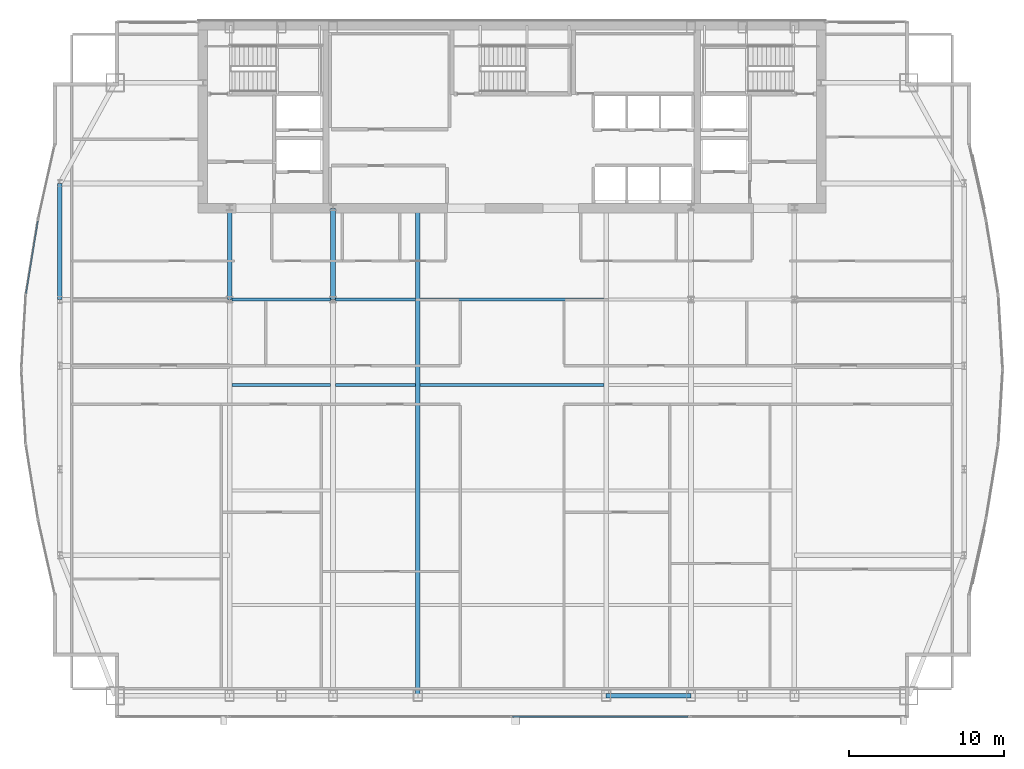
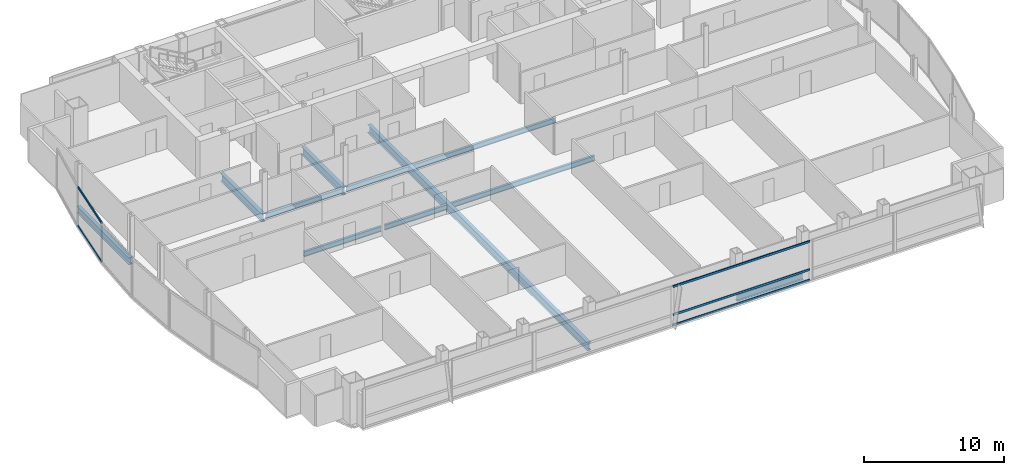
# One storey, part 11 of 30: 11 beams, 5 members, 2 elements without a shape of their own.
"""IFC4 building model written with IfcOpenShell, lengths in metres."""

from ifc_helpers import new_model, si_unit, direction, frame, origin, origin_2d, place, context, subcontext, project, spatial, hollow_rectangle, i_section, extrude, material, material_profile, profile_set, type_object, element, aggregate, save


model = new_model("IFC4")

# Units and contexts
model_context = context("Model", 3, precision=1e-05, world=origin(), true_north=direction((0.0, 1.0)))
body_context = subcontext(model_context, "Body", "Model", "MODEL_VIEW")
ifc_project = project(units=[si_unit("LENGTHUNIT", "METRE"), si_unit("AREAUNIT", "SQUARE_METRE"), si_unit("VOLUMEUNIT", "CUBIC_METRE"), si_unit("PLANEANGLEUNIT", "RADIAN"), si_unit("MASSUNIT", "GRAM", prefix="KILO")], contexts=[model_context])

# Site, building, storey
site_placement = place(None, origin())
site = spatial("IfcSite", under=ifc_project, at=site_placement, CompositionType="ELEMENT")
building_placement = place(site_placement, origin())
building = spatial("IfcBuilding", under=site, at=building_placement, Name="Khoronbel Lancet Exchange", CompositionType="ELEMENT")
storey_placement = place(building_placement, frame((0.0, 0.0, 213.800048828125)))
storey = spatial("IfcBuildingStorey", under=building, at=storey_placement, Name="L54", CompositionType="ELEMENT", Elevation=213.800048828125)

# Beams
ifc_material_1 = material(Name="Steel S355", Category="steel")
ifc_material_profile_1 = material_profile(ifc_material_1, i_section(OverallWidth=0.300048828125, OverallDepth=0.699951171875, WebThickness=0.01708984375, FlangeThickness=0.031982421875, at=origin_2d()), Name="HEB 700")
ifc_profile_set_1 = profile_set([ifc_material_profile_1], Name="Steel S355")
beam_type_1 = type_object("IfcBeamType", Name="BM-BG3", PredefinedType="BEAM", material=ifc_profile_set_1)
for number, where, z_axis, x_axis, name in (
    (1, (18.22509765625, 35.699951171875, -0.510009765625), (0.0, 1.0, 0.0), (-1.0, 0.0, 0.0), "Level L54 spine tie girder GN1"),
    (2, (24.89990234375, 35.699951171875, -0.510009765625), (0.0, 1.0, 0.0), (-1.0, 0.0, 0.0), "Level L54 spine tie girder GN2"),
):
    element("IfcBeam", number, at=place(storey_placement, frame(where, z_axis=z_axis, x_axis=x_axis)), inside=storey, type_object=beam_type_1, Name=name, PredefinedType="BEAM", context=body_context, shape_type="SweptSolid", body=[
        extrude(i_section(OverallWidth=0.300048828125, OverallDepth=0.699951171875, WebThickness=0.01708984375, FlangeThickness=0.031982421875, at=origin_2d()), origin(), (0.0, 0.0, 1.0), 5.900146484375),
    ])
beam_1_placement = place(storey_placement, frame((30.375, 10.14990234375, -0.510009765625), z_axis=(0.0, 1.0, 0.0), x_axis=(-1.0, 0.0, 0.0)))
element("IfcBeam", 3, at=beam_1_placement, inside=storey, type_object=beam_type_1, Name="Level L54 primary floor girder G3", PredefinedType="BEAM", context=body_context, shape_type="SweptSolid", body=[
    extrude(i_section(OverallWidth=0.300048828125, OverallDepth=0.699951171875, WebThickness=0.01708984375, FlangeThickness=0.031982421875, at=origin_2d()), origin(), (0.0, 0.0, 1.0), 31.4501953125),
])
ifc_material_profile_2 = material_profile(ifc_material_1, i_section(OverallWidth=0.18994140625, OverallDepth=0.449951171875, WebThickness=0.009521484375, FlangeThickness=0.0146484375, at=origin_2d()), Name="IPE 450")
ifc_profile_set_2 = profile_set([ifc_material_profile_2], Name="Steel S355")
beam_type_2 = type_object("IfcBeamType", Name="BM-BJ4", PredefinedType="JOIST", material=ifc_profile_set_2)
beam_2_placement = place(storey_placement, frame((18.375, 30.199951171875, -0.385009765625), z_axis=(1.0, 0.0, 0.0), x_axis=(0.0, 1.0, 0.0)))
element("IfcBeam", 4, at=beam_2_placement, inside=storey, type_object=beam_type_2, Name="Level L54 secondary composite joist J11", PredefinedType="JOIST", context=body_context, shape_type="SweptSolid", body=[
    extrude(i_section(OverallWidth=0.18994140625, OverallDepth=0.449951171875, WebThickness=0.009521484375, FlangeThickness=0.0146484375, at=origin_2d()), origin(), (0.0, 0.0, 1.0), 6.375),
])
beam_3_placement = place(storey_placement, frame((25.050048828125, 30.199951171875, -0.385009765625), z_axis=(1.0, 0.0, 0.0), x_axis=(0.0, 1.0, 0.0)))
element("IfcBeam", 5, at=beam_3_placement, inside=storey, type_object=beam_type_2, Name="Level L54 secondary composite joist J12", PredefinedType="JOIST", context=body_context, shape_type="SweptSolid", body=[
    extrude(i_section(OverallWidth=0.18994140625, OverallDepth=0.449951171875, WebThickness=0.009521484375, FlangeThickness=0.0146484375, at=origin_2d()), origin(), (0.0, 0.0, 1.0), 5.175048828125),
])
beam_4_placement = place(storey_placement, frame((30.52490234375, 30.199951171875, -0.385009765625), z_axis=(1.0, 0.0, 0.0), x_axis=(0.0, 1.0, 0.0)))
element("IfcBeam", 6, at=beam_4_placement, inside=storey, type_object=beam_type_2, Name="Level L54 secondary composite joist J13", PredefinedType="JOIST", context=body_context, shape_type="SweptSolid", body=[
    extrude(i_section(OverallWidth=0.18994140625, OverallDepth=0.449951171875, WebThickness=0.009521484375, FlangeThickness=0.0146484375, at=origin_2d()), origin(), (0.0, 0.0, 1.0), 11.85009765625),
])
beam_5_placement = place(storey_placement, frame((18.375, 35.699951171875, -0.385009765625), z_axis=(1.0, 0.0, 0.0), x_axis=(0.0, 1.0, 0.0)))
element("IfcBeam", 7, at=beam_5_placement, inside=storey, type_object=beam_type_2, Name="Level L54 secondary composite joist J16", PredefinedType="JOIST", context=body_context, shape_type="SweptSolid", body=[
    extrude(i_section(OverallWidth=0.18994140625, OverallDepth=0.449951171875, WebThickness=0.009521484375, FlangeThickness=0.0146484375, at=origin_2d()), origin(), (0.0, 0.0, 1.0), 6.375),
])
beam_6_placement = place(storey_placement, frame((25.050048828125, 35.699951171875, -0.385009765625), z_axis=(1.0, 0.0, 0.0), x_axis=(0.0, 1.0, 0.0)))
element("IfcBeam", 8, at=beam_6_placement, inside=storey, type_object=beam_type_2, Name="Level L54 secondary composite joist J17", PredefinedType="JOIST", context=body_context, shape_type="SweptSolid", body=[
    extrude(i_section(OverallWidth=0.18994140625, OverallDepth=0.449951171875, WebThickness=0.009521484375, FlangeThickness=0.0146484375, at=origin_2d()), origin(), (0.0, 0.0, 1.0), 5.175048828125),
])
beam_7_placement = place(storey_placement, frame((30.52490234375, 35.699951171875, -0.385009765625), z_axis=(1.0, 0.0, 0.0), x_axis=(0.0, 1.0, 0.0)))
element("IfcBeam", 9, at=beam_7_placement, inside=storey, type_object=beam_type_2, Name="Level L54 secondary composite joist J18", PredefinedType="JOIST", context=body_context, shape_type="SweptSolid", body=[
    extrude(i_section(OverallWidth=0.18994140625, OverallDepth=0.449951171875, WebThickness=0.009521484375, FlangeThickness=0.0146484375, at=origin_2d()), origin(), (0.0, 0.0, 1.0), 11.85009765625),
])
ifc_material_profile_3 = material_profile(ifc_material_1, i_section(OverallWidth=0.300048828125, OverallDepth=0.60009765625, WebThickness=0.015380859375, FlangeThickness=0.030029296875, at=origin_2d()), Name="HEB 600")
ifc_profile_set_3 = profile_set([ifc_material_profile_3], Name="Steel S355")
beam_type_3 = type_object("IfcBeamType", Name="BM-BSP2", PredefinedType="SPANDREL", material=ifc_profile_set_3)
beam_8_placement = place(storey_placement, frame((42.52490234375, 10.14990234375, -0.4599609375), z_axis=(1.0, 0.0, 0.0), x_axis=(0.0, 1.0, 0.0)))
element("IfcBeam", 10, at=beam_8_placement, inside=storey, type_object=beam_type_3, Name="Level L54 perimeter spandrel beam SP06", PredefinedType="SPANDREL", context=body_context, shape_type="SweptSolid", body=[
    extrude(i_section(OverallWidth=0.300048828125, OverallDepth=0.60009765625, WebThickness=0.015380859375, FlangeThickness=0.030029296875, at=origin_2d()), origin(), (0.0, 0.0, 1.0), 5.47509765625),
])
beam_9_placement = place(storey_placement, frame((7.27001953125, 43.199951171875, -0.4599609375), z_axis=(0.0, -1.0, 0.0), x_axis=(1.0, 0.0, 0.0)))
element("IfcBeam", 11, at=beam_9_placement, inside=storey, type_object=beam_type_3, Name="Level L54 perimeter spandrel beam SP17", PredefinedType="SPANDREL", context=body_context, shape_type="SweptSolid", body=[
    extrude(i_section(OverallWidth=0.300048828125, OverallDepth=0.60009765625, WebThickness=0.015380859375, FlangeThickness=0.030029296875, at=origin_2d()), origin(), (0.0, 0.0, 1.0), 7.5),
])

# Curtain wall, members
ifc_material_2 = material(Name="Low-E Solar Control Insulating Glass", Category="glass")
curtain_wall_type_1 = type_object("IfcCurtainWallType", Name="CW-4", PredefinedType="NOTDEFINED", material=ifc_material_2)
curtain_wall_1_placement = place(storey_placement, origin())
curtain_wall_1 = element("IfcCurtainWall", 12, at=curtain_wall_1_placement, inside=storey, type_object=curtain_wall_type_1, Name="Unitised curtain wall CW-L54-E08", PredefinedType="NOTDEFINED")
ifc_material_3 = material(Name="Bronze-Anodised Aluminium 6063-T6", Category="aluminium")
ifc_material_profile_4 = material_profile(ifc_material_3, hollow_rectangle(XDim=0.0849609375, YDim=0.179931640625, WallThickness=0.0048828125, at=origin_2d()), Name="ALU TRANSOM 85x180")
ifc_profile_set_4 = profile_set([ifc_material_profile_4], Name="Bronze-Anodised Aluminium 6063-T6")
member_type = type_object("IfcMemberType", Name="MEM-CWT1", PredefinedType="USERDEFINED", material=ifc_profile_set_4)
member_1_placement = place(storey_placement, frame((5.089599609375, 36.097412109375, 0.04248046875), z_axis=(0.16070594252, 0.987002330311, 0.0), x_axis=(-0.987002330311, 0.16070594252, 0.0)))
member_1 = element("IfcMember", 13, at=member_1_placement, type_object=member_type, Name="CW4 transom 1.1", ObjectType="TRANSOM", PredefinedType="USERDEFINED", context=body_context, shape_type="SweptSolid", body=[
    extrude(hollow_rectangle(XDim=0.0849609375, YDim=0.179931640625, WallThickness=0.0048828125, at=origin_2d()), origin(), (0.0, 0.0, 1.0), 4.73974609375),
])
member_2_placement = place(storey_placement, frame((5.089599609375, 36.097412109375, 3.3974609375), z_axis=(0.16070594252, 0.987002330311, 0.0), x_axis=(-0.987002330311, 0.16070594252, 0.0)))
member_2 = element("IfcMember", 14, at=member_2_placement, type_object=member_type, Name="CW4 transom 1.2", ObjectType="TRANSOM", PredefinedType="USERDEFINED", context=body_context, shape_type="SweptSolid", body=[
    extrude(hollow_rectangle(XDim=0.0849609375, YDim=0.179931640625, WallThickness=0.0048828125, at=origin_2d()), origin(), (0.0, 0.0, 1.0), 4.73974609375),
])
aggregate(curtain_wall_1, [member_1, member_2])

curtain_wall_type_2 = type_object("IfcCurtainWallType", Name="CW-3", PredefinedType="NOTDEFINED", material=ifc_material_2)
curtain_wall_2_placement = place(storey_placement, origin())
curtain_wall_2 = element("IfcCurtainWall", 15, at=curtain_wall_2_placement, inside=storey, type_object=curtain_wall_type_2, Name="Unitised curtain wall CW-L54-SCV", PredefinedType="NOTDEFINED")
member_3_placement = place(storey_placement, frame((36.492431640625, 8.7900390625, 0.04248046875), z_axis=(1.0, 0.0, 0.0), x_axis=(0.0, 1.0, 0.0)))
member_3 = element("IfcMember", 16, at=member_3_placement, type_object=member_type, Name="CW3 transom 2.1", ObjectType="TRANSOM", PredefinedType="USERDEFINED", context=body_context, shape_type="SweptSolid", body=[
    extrude(hollow_rectangle(XDim=0.0849609375, YDim=0.179931640625, WallThickness=0.0048828125, at=origin_2d()), origin(), (0.0, 0.0, 1.0), 11.322509765625),
])
member_4_placement = place(storey_placement, frame((36.492431640625, 8.7900390625, 0.949951171875), z_axis=(1.0, 0.0, 0.0), x_axis=(0.0, 1.0, 0.0)))
member_4 = element("IfcMember", 17, at=member_4_placement, type_object=member_type, Name="CW3 transom 2.2", ObjectType="TRANSOM", PredefinedType="USERDEFINED", context=body_context, shape_type="SweptSolid", body=[
    extrude(hollow_rectangle(XDim=0.0849609375, YDim=0.179931640625, WallThickness=0.0048828125, at=origin_2d()), origin(), (0.0, 0.0, 1.0), 11.322509765625),
])
member_5_placement = place(storey_placement, frame((36.492431640625, 8.7900390625, 3.3974609375), z_axis=(1.0, 0.0, 0.0), x_axis=(0.0, 1.0, 0.0)))
member_5 = element("IfcMember", 18, at=member_5_placement, type_object=member_type, Name="CW3 transom 2.3", ObjectType="TRANSOM", PredefinedType="USERDEFINED", context=body_context, shape_type="SweptSolid", body=[
    extrude(hollow_rectangle(XDim=0.0849609375, YDim=0.179931640625, WallThickness=0.0048828125, at=origin_2d()), origin(), (0.0, 0.0, 1.0), 11.322509765625),
])
aggregate(curtain_wall_2, [member_3, member_4, member_5])

save(model, "model.ifc")
